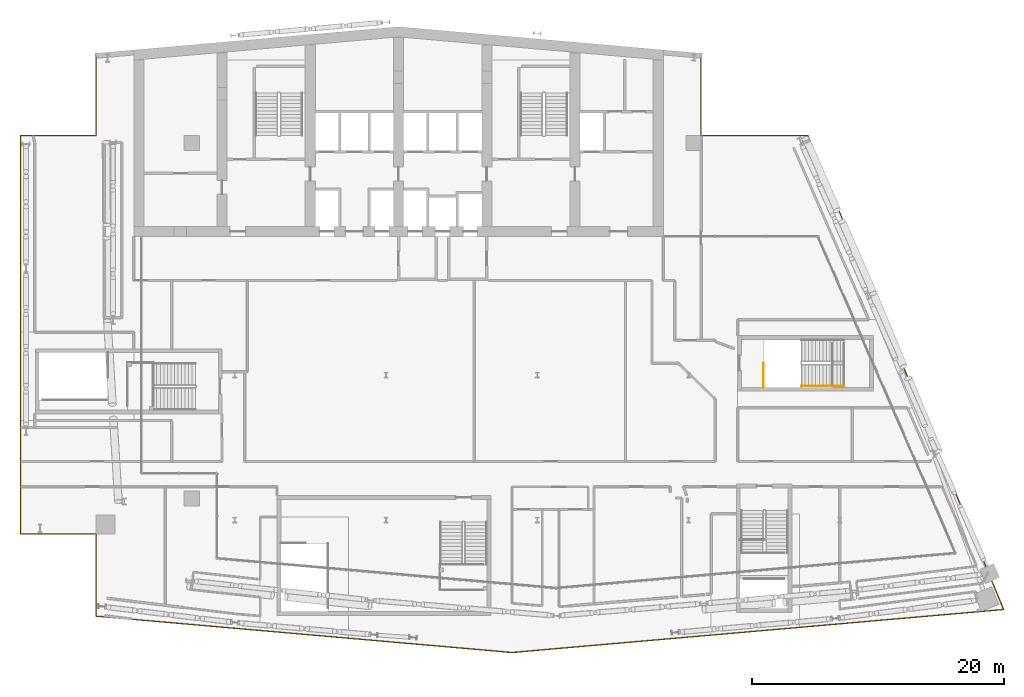
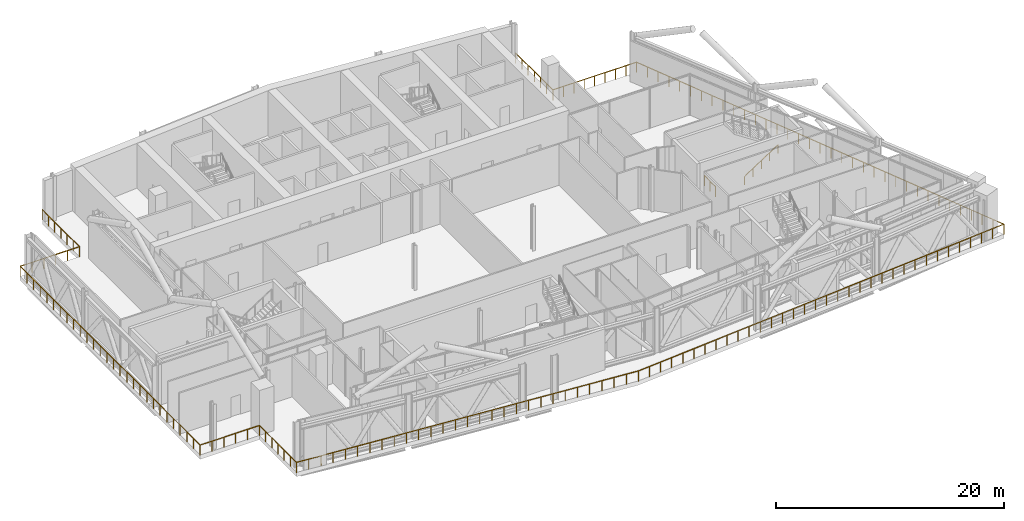
# One storey, part 32 of 35: 3 railings.
"""IFC4 building model written with IfcOpenShell, lengths in metres."""

from ifc_helpers import new_model, si_unit, direction, frame, origin, origin_2d, place, context, subcontext, project, spatial, circle, extrude, material, type_object, element, save


model = new_model("IFC4")

# Units and contexts
model_context = context("Model", 3, precision=1e-05, world=origin(), true_north=direction((0.0, 1.0)))
body_context = subcontext(model_context, "Body", "Model", "MODEL_VIEW")
ifc_project = project(units=[si_unit("LENGTHUNIT", "METRE"), si_unit("AREAUNIT", "SQUARE_METRE"), si_unit("VOLUMEUNIT", "CUBIC_METRE"), si_unit("PLANEANGLEUNIT", "RADIAN"), si_unit("MASSUNIT", "GRAM", prefix="KILO")], contexts=[model_context])

# Site, building, storey
site_placement = place(None, origin())
site = spatial("IfcSite", under=ifc_project, at=site_placement, CompositionType="ELEMENT")
building_placement = place(site_placement, origin())
building = spatial("IfcBuilding", under=site, at=building_placement, Name="Wharfspan Tower", CompositionType="ELEMENT")
storey_placement = place(building_placement, frame((0.0, 0.0, 202.300049)))
storey = spatial("IfcBuildingStorey", under=building, at=storey_placement, Name="L50", CompositionType="ELEMENT", Elevation=202.300049)

# Railings
ifc_material = material(Name="Steel S355J2", Category="steel")
railing_type_1 = type_object("IfcRailingType", Name="GUARD 1100 STEEL AND GLASS", PredefinedType="GUARDRAIL", material=ifc_material)
railing_1_placement = place(storey_placement, frame((13.0, 48.524902, 0.0)))
element("IfcRailing", 1, at=railing_1_placement, inside=storey, type_object=railing_type_1, Name="Band edge guard", PredefinedType="GUARDRAIL", context=body_context, shape_type="SweptSolid", body=[
    extrude(circle(Radius=0.024902, at=origin_2d()), frame((0.0, 0.0, 1.075195), z_axis=(0.0, -1.0, 0.0), x_axis=(1.0, 0.0, 0.0)), (0.0, 0.0, 1.0), 6.524902),
    extrude(circle(Radius=0.024902, at=origin_2d()), frame((0.0, -6.524902, 1.075195), z_axis=(-1.0, 0.0, 0.0), x_axis=(0.0, -1.0, 0.0)), (0.0, 0.0, 1.0), 6.0),
    extrude(circle(Radius=0.024902, at=origin_2d()), frame((-6.0, -6.524902, 1.075195), z_axis=(0.0, -1.0, 0.0), x_axis=(1.0, 0.0, 0.0)), (0.0, 0.0, 1.0), 31.600098),
    extrude(circle(Radius=0.024902, at=origin_2d()), frame((-6.0, -38.125, 1.075195), z_axis=(1.0, 0.0, 0.0), x_axis=(0.0, 1.0, 0.0)), (0.0, 0.0, 1.0), 6.0),
    extrude(circle(Radius=0.024902, at=origin_2d()), frame((0.0, -38.125, 1.075195), z_axis=(0.0, -1.0, 0.0), x_axis=(1.0, 0.0, 0.0)), (0.0, 0.0, 1.0), 6.524902),
    extrude(circle(Radius=0.024902, at=origin_2d()), frame((0.0, -44.649902, 1.075195), z_axis=(0.996195, -0.087151, 0.0), x_axis=(0.087151, 0.996195, 0.0)), (0.0, 0.0, 1.0), 33.125977),
    extrude(circle(Radius=0.024902, at=origin_2d()), frame((33.0, -47.536865, 1.075195), z_axis=(0.996195, 0.087151, 0.0), x_axis=(-0.087151, 0.996195, 0.0)), (0.0, 0.0, 1.0), 39.148926),
    extrude(circle(Radius=0.024902, at=origin_2d()), frame((72.0, -44.125, 1.075195), z_axis=(-0.381602, 0.924327, 0.0), x_axis=(-0.924327, -0.381602, 0.0)), (0.0, 0.0, 1.0), 40.678467),
    extrude(circle(Radius=0.024902, at=origin_2d()), frame((56.477051, -6.524902, 1.075195), z_axis=(-1.0, 0.0, 0.0), x_axis=(0.0, -1.0, 0.0)), (0.0, 0.0, 1.0), 8.477051),
    extrude(circle(Radius=0.024902, at=origin_2d()), frame((48.0, -6.524902, 1.075195), z_axis=(0.0, 1.0, 0.0), x_axis=(-1.0, 0.0, 0.0)), (0.0, 0.0, 1.0), 6.524902),
    extrude(circle(Radius=0.02002, at=origin_2d()), origin(), (0.0, 0.0, 1.0), 1.050049),
    extrude(circle(Radius=0.02002, at=origin_2d()), frame((0.0, -1.087402, 0.0)), (0.0, 0.0, 1.0), 1.050049),
    extrude(circle(Radius=0.02002, at=origin_2d()), frame((0.0, -2.175049, 0.0)), (0.0, 0.0, 1.0), 1.050049),
    extrude(circle(Radius=0.02002, at=origin_2d()), frame((0.0, -3.262451, 0.0)), (0.0, 0.0, 1.0), 1.050049),
    extrude(circle(Radius=0.02002, at=origin_2d()), frame((0.0, -4.349854, 0.0)), (0.0, 0.0, 1.0), 1.050049),
    extrude(circle(Radius=0.02002, at=origin_2d()), frame((0.0, -5.4375, 0.0)), (0.0, 0.0, 1.0), 1.050049),
    extrude(circle(Radius=0.02002, at=origin_2d()), frame((0.0, -6.524902, 0.0)), (0.0, 0.0, 1.0), 1.050049),
    extrude(circle(Radius=0.02002, at=origin_2d()), frame((-1.199951, -6.524902, 0.0)), (0.0, 0.0, 1.0), 1.050049),
    extrude(circle(Radius=0.02002, at=origin_2d()), frame((-2.399902, -6.524902, 0.0)), (0.0, 0.0, 1.0), 1.050049),
    extrude(circle(Radius=0.02002, at=origin_2d()), frame((-3.600098, -6.524902, 0.0)), (0.0, 0.0, 1.0), 1.050049),
    extrude(circle(Radius=0.02002, at=origin_2d()), frame((-4.800049, -6.524902, 0.0)), (0.0, 0.0, 1.0), 1.050049),
    extrude(circle(Radius=0.02002, at=origin_2d()), frame((-6.0, -6.524902, 0.0)), (0.0, 0.0, 1.0), 1.050049),
    extrude(circle(Radius=0.02002, at=origin_2d()), frame((-6.0, -7.695312, 0.0)), (0.0, 0.0, 1.0), 1.050049),
    extrude(circle(Radius=0.02002, at=origin_2d()), frame((-6.0, -8.865723, 0.0)), (0.0, 0.0, 1.0), 1.050049),
    extrude(circle(Radius=0.02002, at=origin_2d()), frame((-6.0, -10.036133, 0.0)), (0.0, 0.0, 1.0), 1.050049),
    extrude(circle(Radius=0.02002, at=origin_2d()), frame((-6.0, -11.206299, 0.0)), (0.0, 0.0, 1.0), 1.050049),
    extrude(circle(Radius=0.02002, at=origin_2d()), frame((-6.0, -12.376709, 0.0)), (0.0, 0.0, 1.0), 1.050049),
    extrude(circle(Radius=0.02002, at=origin_2d()), frame((-6.0, -13.547119, 0.0)), (0.0, 0.0, 1.0), 1.050049),
    extrude(circle(Radius=0.02002, at=origin_2d()), frame((-6.0, -14.717529, 0.0)), (0.0, 0.0, 1.0), 1.050049),
    extrude(circle(Radius=0.02002, at=origin_2d()), frame((-6.0, -15.887939, 0.0)), (0.0, 0.0, 1.0), 1.050049),
    extrude(circle(Radius=0.02002, at=origin_2d()), frame((-6.0, -17.05835, 0.0)), (0.0, 0.0, 1.0), 1.050049),
    extrude(circle(Radius=0.02002, at=origin_2d()), frame((-6.0, -18.22876, 0.0)), (0.0, 0.0, 1.0), 1.050049),
    extrude(circle(Radius=0.02002, at=origin_2d()), frame((-6.0, -19.398926, 0.0)), (0.0, 0.0, 1.0), 1.050049),
    extrude(circle(Radius=0.02002, at=origin_2d()), frame((-6.0, -20.569336, 0.0)), (0.0, 0.0, 1.0), 1.050049),
    extrude(circle(Radius=0.02002, at=origin_2d()), frame((-6.0, -21.739746, 0.0)), (0.0, 0.0, 1.0), 1.050049),
    extrude(circle(Radius=0.02002, at=origin_2d()), frame((-6.0, -22.910156, 0.0)), (0.0, 0.0, 1.0), 1.050049),
    extrude(circle(Radius=0.02002, at=origin_2d()), frame((-6.0, -24.080566, 0.0)), (0.0, 0.0, 1.0), 1.050049),
    extrude(circle(Radius=0.02002, at=origin_2d()), frame((-6.0, -25.250977, 0.0)), (0.0, 0.0, 1.0), 1.050049),
    extrude(circle(Radius=0.02002, at=origin_2d()), frame((-6.0, -26.421143, 0.0)), (0.0, 0.0, 1.0), 1.050049),
    extrude(circle(Radius=0.02002, at=origin_2d()), frame((-6.0, -27.591553, 0.0)), (0.0, 0.0, 1.0), 1.050049),
    extrude(circle(Radius=0.02002, at=origin_2d()), frame((-6.0, -28.761963, 0.0)), (0.0, 0.0, 1.0), 1.050049),
    extrude(circle(Radius=0.02002, at=origin_2d()), frame((-6.0, -29.932373, 0.0)), (0.0, 0.0, 1.0), 1.050049),
    extrude(circle(Radius=0.02002, at=origin_2d()), frame((-6.0, -31.102783, 0.0)), (0.0, 0.0, 1.0), 1.050049),
    extrude(circle(Radius=0.02002, at=origin_2d()), frame((-6.0, -32.273193, 0.0)), (0.0, 0.0, 1.0), 1.050049),
    extrude(circle(Radius=0.02002, at=origin_2d()), frame((-6.0, -33.443604, 0.0)), (0.0, 0.0, 1.0), 1.050049),
    extrude(circle(Radius=0.02002, at=origin_2d()), frame((-6.0, -34.61377, 0.0)), (0.0, 0.0, 1.0), 1.050049),
    extrude(circle(Radius=0.02002, at=origin_2d()), frame((-6.0, -35.78418, 0.0)), (0.0, 0.0, 1.0), 1.050049),
    extrude(circle(Radius=0.02002, at=origin_2d()), frame((-6.0, -36.95459, 0.0)), (0.0, 0.0, 1.0), 1.050049),
    extrude(circle(Radius=0.02002, at=origin_2d()), frame((-6.0, -38.125, 0.0)), (0.0, 0.0, 1.0), 1.050049),
    extrude(circle(Radius=0.02002, at=origin_2d()), frame((-4.800049, -38.125, 0.0)), (0.0, 0.0, 1.0), 1.050049),
    extrude(circle(Radius=0.02002, at=origin_2d()), frame((-3.600098, -38.125, 0.0)), (0.0, 0.0, 1.0), 1.050049),
    extrude(circle(Radius=0.02002, at=origin_2d()), frame((-2.399902, -38.125, 0.0)), (0.0, 0.0, 1.0), 1.050049),
    extrude(circle(Radius=0.02002, at=origin_2d()), frame((-1.199951, -38.125, 0.0)), (0.0, 0.0, 1.0), 1.050049),
    extrude(circle(Radius=0.02002, at=origin_2d()), frame((0.0, -38.125, 0.0)), (0.0, 0.0, 1.0), 1.050049),
    extrude(circle(Radius=0.02002, at=origin_2d()), frame((0.0, -39.212402, 0.0)), (0.0, 0.0, 1.0), 1.050049),
    extrude(circle(Radius=0.02002, at=origin_2d()), frame((0.0, -40.300049, 0.0)), (0.0, 0.0, 1.0), 1.050049),
    extrude(circle(Radius=0.02002, at=origin_2d()), frame((0.0, -41.387451, 0.0)), (0.0, 0.0, 1.0), 1.050049),
    extrude(circle(Radius=0.02002, at=origin_2d()), frame((0.0, -42.474854, 0.0)), (0.0, 0.0, 1.0), 1.050049),
    extrude(circle(Radius=0.02002, at=origin_2d()), frame((0.0, -43.5625, 0.0)), (0.0, 0.0, 1.0), 1.050049),
    extrude(circle(Radius=0.02002, at=origin_2d()), frame((0.0, -44.649902, 0.0)), (0.0, 0.0, 1.0), 1.050049),
    extrude(circle(Radius=0.02002, at=origin_2d()), frame((1.178467, -44.75293, 0.0)), (0.0, 0.0, 1.0), 1.050049),
    extrude(circle(Radius=0.02002, at=origin_2d()), frame((2.357178, -44.856201, 0.0)), (0.0, 0.0, 1.0), 1.050049),
    extrude(circle(Radius=0.02002, at=origin_2d()), frame((3.535645, -44.959229, 0.0)), (0.0, 0.0, 1.0), 1.050049),
    extrude(circle(Radius=0.02002, at=origin_2d()), frame((4.714355, -45.062256, 0.0)), (0.0, 0.0, 1.0), 1.050049),
    extrude(circle(Radius=0.02002, at=origin_2d()), frame((5.892822, -45.165527, 0.0)), (0.0, 0.0, 1.0), 1.050049),
    extrude(circle(Radius=0.02002, at=origin_2d()), frame((7.071533, -45.268555, 0.0)), (0.0, 0.0, 1.0), 1.050049),
    extrude(circle(Radius=0.02002, at=origin_2d()), frame((8.25, -45.371582, 0.0)), (0.0, 0.0, 1.0), 1.050049),
    extrude(circle(Radius=0.02002, at=origin_2d()), frame((9.428467, -45.474854, 0.0)), (0.0, 0.0, 1.0), 1.050049),
    extrude(circle(Radius=0.02002, at=origin_2d()), frame((10.607178, -45.577881, 0.0)), (0.0, 0.0, 1.0), 1.050049),
    extrude(circle(Radius=0.02002, at=origin_2d()), frame((11.785645, -45.680908, 0.0)), (0.0, 0.0, 1.0), 1.050049),
    extrude(circle(Radius=0.02002, at=origin_2d()), frame((12.964355, -45.78418, 0.0)), (0.0, 0.0, 1.0), 1.050049),
    extrude(circle(Radius=0.02002, at=origin_2d()), frame((14.142822, -45.887207, 0.0)), (0.0, 0.0, 1.0), 1.050049),
    extrude(circle(Radius=0.02002, at=origin_2d()), frame((15.321533, -45.990234, 0.0)), (0.0, 0.0, 1.0), 1.050049),
    extrude(circle(Radius=0.02002, at=origin_2d()), frame((16.5, -46.093262, 0.0)), (0.0, 0.0, 1.0), 1.050049),
    extrude(circle(Radius=0.02002, at=origin_2d()), frame((17.678467, -46.196533, 0.0)), (0.0, 0.0, 1.0), 1.050049),
    extrude(circle(Radius=0.02002, at=origin_2d()), frame((18.857178, -46.299561, 0.0)), (0.0, 0.0, 1.0), 1.050049),
    extrude(circle(Radius=0.02002, at=origin_2d()), frame((20.035645, -46.402588, 0.0)), (0.0, 0.0, 1.0), 1.050049),
    extrude(circle(Radius=0.02002, at=origin_2d()), frame((21.214355, -46.505859, 0.0)), (0.0, 0.0, 1.0), 1.050049),
    extrude(circle(Radius=0.02002, at=origin_2d()), frame((22.392822, -46.608887, 0.0)), (0.0, 0.0, 1.0), 1.050049),
    extrude(circle(Radius=0.02002, at=origin_2d()), frame((23.571533, -46.711914, 0.0)), (0.0, 0.0, 1.0), 1.050049),
    extrude(circle(Radius=0.02002, at=origin_2d()), frame((24.75, -46.815186, 0.0)), (0.0, 0.0, 1.0), 1.050049),
    extrude(circle(Radius=0.02002, at=origin_2d()), frame((25.928467, -46.918213, 0.0)), (0.0, 0.0, 1.0), 1.050049),
    extrude(circle(Radius=0.02002, at=origin_2d()), frame((27.107178, -47.02124, 0.0)), (0.0, 0.0, 1.0), 1.050049),
    extrude(circle(Radius=0.02002, at=origin_2d()), frame((28.285645, -47.124512, 0.0)), (0.0, 0.0, 1.0), 1.050049),
    extrude(circle(Radius=0.02002, at=origin_2d()), frame((29.464355, -47.227539, 0.0)), (0.0, 0.0, 1.0), 1.050049),
    extrude(circle(Radius=0.02002, at=origin_2d()), frame((30.642822, -47.330566, 0.0)), (0.0, 0.0, 1.0), 1.050049),
    extrude(circle(Radius=0.02002, at=origin_2d()), frame((31.821533, -47.433838, 0.0)), (0.0, 0.0, 1.0), 1.050049),
    extrude(circle(Radius=0.02002, at=origin_2d()), frame((33.0, -47.536865, 0.0)), (0.0, 0.0, 1.0), 1.050049),
    extrude(circle(Radius=0.02002, at=origin_2d()), frame((34.181885, -47.433594, 0.0)), (0.0, 0.0, 1.0), 1.050049),
    extrude(circle(Radius=0.02002, at=origin_2d()), frame((35.363525, -47.330078, 0.0)), (0.0, 0.0, 1.0), 1.050049),
    extrude(circle(Radius=0.02002, at=origin_2d()), frame((36.54541, -47.226807, 0.0)), (0.0, 0.0, 1.0), 1.050049),
    extrude(circle(Radius=0.02002, at=origin_2d()), frame((37.727295, -47.123291, 0.0)), (0.0, 0.0, 1.0), 1.050049),
    extrude(circle(Radius=0.02002, at=origin_2d()), frame((38.90918, -47.02002, 0.0)), (0.0, 0.0, 1.0), 1.050049),
    extrude(circle(Radius=0.02002, at=origin_2d()), frame((40.09082, -46.916504, 0.0)), (0.0, 0.0, 1.0), 1.050049),
    extrude(circle(Radius=0.02002, at=origin_2d()), frame((41.272705, -46.813232, 0.0)), (0.0, 0.0, 1.0), 1.050049),
    extrude(circle(Radius=0.02002, at=origin_2d()), frame((42.45459, -46.709717, 0.0)), (0.0, 0.0, 1.0), 1.050049),
    extrude(circle(Radius=0.02002, at=origin_2d()), frame((43.636475, -46.606445, 0.0)), (0.0, 0.0, 1.0), 1.050049),
    extrude(circle(Radius=0.02002, at=origin_2d()), frame((44.818115, -46.50293, 0.0)), (0.0, 0.0, 1.0), 1.050049),
    extrude(circle(Radius=0.02002, at=origin_2d()), frame((46.0, -46.399658, 0.0)), (0.0, 0.0, 1.0), 1.050049),
    extrude(circle(Radius=0.02002, at=origin_2d()), frame((47.181885, -46.296143, 0.0)), (0.0, 0.0, 1.0), 1.050049),
    extrude(circle(Radius=0.02002, at=origin_2d()), frame((48.363525, -46.192871, 0.0)), (0.0, 0.0, 1.0), 1.050049),
    extrude(circle(Radius=0.02002, at=origin_2d()), frame((49.54541, -46.089355, 0.0)), (0.0, 0.0, 1.0), 1.050049),
    extrude(circle(Radius=0.02002, at=origin_2d()), frame((50.727295, -45.986084, 0.0)), (0.0, 0.0, 1.0), 1.050049),
    extrude(circle(Radius=0.02002, at=origin_2d()), frame((51.90918, -45.882568, 0.0)), (0.0, 0.0, 1.0), 1.050049),
    extrude(circle(Radius=0.02002, at=origin_2d()), frame((53.09082, -45.779297, 0.0)), (0.0, 0.0, 1.0), 1.050049),
    extrude(circle(Radius=0.02002, at=origin_2d()), frame((54.272705, -45.675781, 0.0)), (0.0, 0.0, 1.0), 1.050049),
    extrude(circle(Radius=0.02002, at=origin_2d()), frame((55.45459, -45.57251, 0.0)), (0.0, 0.0, 1.0), 1.050049),
    extrude(circle(Radius=0.02002, at=origin_2d()), frame((56.636475, -45.468994, 0.0)), (0.0, 0.0, 1.0), 1.050049),
    extrude(circle(Radius=0.02002, at=origin_2d()), frame((57.818115, -45.365723, 0.0)), (0.0, 0.0, 1.0), 1.050049),
    extrude(circle(Radius=0.02002, at=origin_2d()), frame((59.0, -45.262207, 0.0)), (0.0, 0.0, 1.0), 1.050049),
    extrude(circle(Radius=0.02002, at=origin_2d()), frame((60.181885, -45.158936, 0.0)), (0.0, 0.0, 1.0), 1.050049),
    extrude(circle(Radius=0.02002, at=origin_2d()), frame((61.363525, -45.05542, 0.0)), (0.0, 0.0, 1.0), 1.050049),
    extrude(circle(Radius=0.02002, at=origin_2d()), frame((62.54541, -44.952148, 0.0)), (0.0, 0.0, 1.0), 1.050049),
    extrude(circle(Radius=0.02002, at=origin_2d()), frame((63.727295, -44.848633, 0.0)), (0.0, 0.0, 1.0), 1.050049),
    extrude(circle(Radius=0.02002, at=origin_2d()), frame((64.90918, -44.745361, 0.0)), (0.0, 0.0, 1.0), 1.050049),
    extrude(circle(Radius=0.02002, at=origin_2d()), frame((66.09082, -44.641846, 0.0)), (0.0, 0.0, 1.0), 1.050049),
    extrude(circle(Radius=0.02002, at=origin_2d()), frame((67.272705, -44.538574, 0.0)), (0.0, 0.0, 1.0), 1.050049),
    extrude(circle(Radius=0.02002, at=origin_2d()), frame((68.45459, -44.435059, 0.0)), (0.0, 0.0, 1.0), 1.050049),
    extrude(circle(Radius=0.02002, at=origin_2d()), frame((69.636475, -44.331787, 0.0)), (0.0, 0.0, 1.0), 1.050049),
    extrude(circle(Radius=0.02002, at=origin_2d()), frame((70.818115, -44.228271, 0.0)), (0.0, 0.0, 1.0), 1.050049),
    extrude(circle(Radius=0.02002, at=origin_2d()), frame((72.0, -44.125, 0.0)), (0.0, 0.0, 1.0), 1.050049),
    extrude(circle(Radius=0.02002, at=origin_2d()), frame((71.543457, -43.019043, 0.0)), (0.0, 0.0, 1.0), 1.050049),
    extrude(circle(Radius=0.02002, at=origin_2d()), frame((71.086914, -41.91333, 0.0)), (0.0, 0.0, 1.0), 1.050049),
    extrude(circle(Radius=0.02002, at=origin_2d()), frame((70.630371, -40.807373, 0.0)), (0.0, 0.0, 1.0), 1.050049),
    extrude(circle(Radius=0.02002, at=origin_2d()), frame((70.173828, -39.701416, 0.0)), (0.0, 0.0, 1.0), 1.050049),
    extrude(circle(Radius=0.02002, at=origin_2d()), frame((69.717285, -38.595459, 0.0)), (0.0, 0.0, 1.0), 1.050049),
    extrude(circle(Radius=0.02002, at=origin_2d()), frame((69.260742, -37.489746, 0.0)), (0.0, 0.0, 1.0), 1.050049),
    extrude(circle(Radius=0.02002, at=origin_2d()), frame((68.804199, -36.383789, 0.0)), (0.0, 0.0, 1.0), 1.050049),
    extrude(circle(Radius=0.02002, at=origin_2d()), frame((68.347656, -35.277832, 0.0)), (0.0, 0.0, 1.0), 1.050049),
    extrude(circle(Radius=0.02002, at=origin_2d()), frame((67.890869, -34.172119, 0.0)), (0.0, 0.0, 1.0), 1.050049),
    extrude(circle(Radius=0.02002, at=origin_2d()), frame((67.434326, -33.066162, 0.0)), (0.0, 0.0, 1.0), 1.050049),
    extrude(circle(Radius=0.02002, at=origin_2d()), frame((66.977783, -31.960205, 0.0)), (0.0, 0.0, 1.0), 1.050049),
    extrude(circle(Radius=0.02002, at=origin_2d()), frame((66.52124, -30.854492, 0.0)), (0.0, 0.0, 1.0), 1.050049),
    extrude(circle(Radius=0.02002, at=origin_2d()), frame((66.064697, -29.748535, 0.0)), (0.0, 0.0, 1.0), 1.050049),
    extrude(circle(Radius=0.02002, at=origin_2d()), frame((65.608154, -28.642578, 0.0)), (0.0, 0.0, 1.0), 1.050049),
    extrude(circle(Radius=0.02002, at=origin_2d()), frame((65.151611, -27.536621, 0.0)), (0.0, 0.0, 1.0), 1.050049),
    extrude(circle(Radius=0.02002, at=origin_2d()), frame((64.695068, -26.430908, 0.0)), (0.0, 0.0, 1.0), 1.050049),
    extrude(circle(Radius=0.02002, at=origin_2d()), frame((64.238525, -25.324951, 0.0)), (0.0, 0.0, 1.0), 1.050049),
    extrude(circle(Radius=0.02002, at=origin_2d()), frame((63.781982, -24.218994, 0.0)), (0.0, 0.0, 1.0), 1.050049),
    extrude(circle(Radius=0.02002, at=origin_2d()), frame((63.325439, -23.113281, 0.0)), (0.0, 0.0, 1.0), 1.050049),
    extrude(circle(Radius=0.02002, at=origin_2d()), frame((62.868896, -22.007324, 0.0)), (0.0, 0.0, 1.0), 1.050049),
    extrude(circle(Radius=0.02002, at=origin_2d()), frame((62.412354, -20.901367, 0.0)), (0.0, 0.0, 1.0), 1.050049),
    extrude(circle(Radius=0.02002, at=origin_2d()), frame((61.955811, -19.79541, 0.0)), (0.0, 0.0, 1.0), 1.050049),
    extrude(circle(Radius=0.02002, at=origin_2d()), frame((61.499268, -18.689697, 0.0)), (0.0, 0.0, 1.0), 1.050049),
    extrude(circle(Radius=0.02002, at=origin_2d()), frame((61.042725, -17.58374, 0.0)), (0.0, 0.0, 1.0), 1.050049),
    extrude(circle(Radius=0.02002, at=origin_2d()), frame((60.586182, -16.477783, 0.0)), (0.0, 0.0, 1.0), 1.050049),
    extrude(circle(Radius=0.02002, at=origin_2d()), frame((60.129395, -15.37207, 0.0)), (0.0, 0.0, 1.0), 1.050049),
    extrude(circle(Radius=0.02002, at=origin_2d()), frame((59.672852, -14.266113, 0.0)), (0.0, 0.0, 1.0), 1.050049),
    extrude(circle(Radius=0.02002, at=origin_2d()), frame((59.216309, -13.160156, 0.0)), (0.0, 0.0, 1.0), 1.050049),
    extrude(circle(Radius=0.02002, at=origin_2d()), frame((58.759766, -12.054443, 0.0)), (0.0, 0.0, 1.0), 1.050049),
    extrude(circle(Radius=0.02002, at=origin_2d()), frame((58.303223, -10.948486, 0.0)), (0.0, 0.0, 1.0), 1.050049),
    extrude(circle(Radius=0.02002, at=origin_2d()), frame((57.84668, -9.842529, 0.0)), (0.0, 0.0, 1.0), 1.050049),
    extrude(circle(Radius=0.02002, at=origin_2d()), frame((57.390137, -8.736572, 0.0)), (0.0, 0.0, 1.0), 1.050049),
    extrude(circle(Radius=0.02002, at=origin_2d()), frame((56.933594, -7.630859, 0.0)), (0.0, 0.0, 1.0), 1.050049),
    extrude(circle(Radius=0.02002, at=origin_2d()), frame((56.477051, -6.524902, 0.0)), (0.0, 0.0, 1.0), 1.050049),
    extrude(circle(Radius=0.02002, at=origin_2d()), frame((55.41748, -6.524902, 0.0)), (0.0, 0.0, 1.0), 1.050049),
    extrude(circle(Radius=0.02002, at=origin_2d()), frame((54.35791, -6.524902, 0.0)), (0.0, 0.0, 1.0), 1.050049),
    extrude(circle(Radius=0.02002, at=origin_2d()), frame((53.298096, -6.524902, 0.0)), (0.0, 0.0, 1.0), 1.050049),
    extrude(circle(Radius=0.02002, at=origin_2d()), frame((52.238525, -6.524902, 0.0)), (0.0, 0.0, 1.0), 1.050049),
    extrude(circle(Radius=0.02002, at=origin_2d()), frame((51.178955, -6.524902, 0.0)), (0.0, 0.0, 1.0), 1.050049),
    extrude(circle(Radius=0.02002, at=origin_2d()), frame((50.119141, -6.524902, 0.0)), (0.0, 0.0, 1.0), 1.050049),
    extrude(circle(Radius=0.02002, at=origin_2d()), frame((49.05957, -6.524902, 0.0)), (0.0, 0.0, 1.0), 1.050049),
    extrude(circle(Radius=0.02002, at=origin_2d()), frame((48.0, -6.524902, 0.0)), (0.0, 0.0, 1.0), 1.050049),
    extrude(circle(Radius=0.02002, at=origin_2d()), frame((48.0, -5.4375, 0.0)), (0.0, 0.0, 1.0), 1.050049),
    extrude(circle(Radius=0.02002, at=origin_2d()), frame((48.0, -4.349854, 0.0)), (0.0, 0.0, 1.0), 1.050049),
    extrude(circle(Radius=0.02002, at=origin_2d()), frame((48.0, -3.262451, 0.0)), (0.0, 0.0, 1.0), 1.050049),
    extrude(circle(Radius=0.02002, at=origin_2d()), frame((48.0, -2.175049, 0.0)), (0.0, 0.0, 1.0), 1.050049),
    extrude(circle(Radius=0.02002, at=origin_2d()), frame((48.0, -1.087402, 0.0)), (0.0, 0.0, 1.0), 1.050049),
    extrude(circle(Radius=0.02002, at=origin_2d()), frame((48.0, 0.0, 0.0)), (0.0, 0.0, 1.0), 1.050049),
])
railing_type_2 = type_object("IfcRailingType", Name="Stair guard 1100", PredefinedType="GUARDRAIL", material=ifc_material)
railing_2_placement = place(storey_placement, frame((65.95459, 22.024902, 0.0)))
element("IfcRailing", 2, at=railing_2_placement, inside=storey, type_object=railing_type_2, Name="L50 ST6 top well guard 1", PredefinedType="GUARDRAIL", context=body_context, shape_type="SweptSolid", body=[
    extrude(circle(Radius=0.023926, at=origin_2d()), frame((0.0, 0.0, 1.076172), z_axis=(0.0, 1.0, 0.0), x_axis=(-1.0, 0.0, 0.0)), (0.0, 0.0, 1.0), 1.950195),
    extrude(circle(Radius=0.020996, at=origin_2d()), origin(), (0.0, 0.0, 1.0), 1.052002),
    extrude(circle(Radius=0.020996, at=origin_2d()), frame((0.0, 0.975098, 0.0)), (0.0, 0.0, 1.0), 1.052002),
    extrude(circle(Radius=0.020996, at=origin_2d()), frame((0.0, 1.950195, 0.0)), (0.0, 0.0, 1.0), 1.052002),
])
railing_type_3 = type_object("IfcRailingType", Name="Stair handrail 900", PredefinedType="HANDRAIL", material=ifc_material)
railing_3_placement = place(storey_placement, frame((68.969482, 22.125, 0.18457)))
element("IfcRailing", 3, at=railing_3_placement, inside=storey, type_object=railing_type_3, Name="L50 ST6 stair handrail 1", PredefinedType="HANDRAIL", context=body_context, shape_type="SweptSolid", body=[
    extrude(circle(Radius=0.023926, at=origin_2d()), frame((0.0, 0.0, 0.875977), z_axis=(0.834876, 0.0, 0.550437), x_axis=(0.0, 1.0, 0.0)), (0.0, 0.0, 1.0), 4.024658),
    extrude(circle(Radius=0.020996, at=origin_2d()), origin(), (0.0, 0.0, 1.0), 0.851807),
    extrude(circle(Radius=0.020996, at=origin_2d()), frame((0.840088, 0.0, 0.553711)), (0.0, 0.0, 1.0), 0.851807),
    extrude(circle(Radius=0.020996, at=origin_2d()), frame((1.680176, 0.0, 1.107666)), (0.0, 0.0, 1.0), 0.851807),
    extrude(circle(Radius=0.020996, at=origin_2d()), frame((2.52002, 0.0, 1.661621)), (0.0, 0.0, 1.0), 0.851807),
    extrude(circle(Radius=0.020996, at=origin_2d()), frame((3.360107, 0.0, 2.215332)), (0.0, 0.0, 1.0), 0.851807),
])

save(model, "model.ifc")
